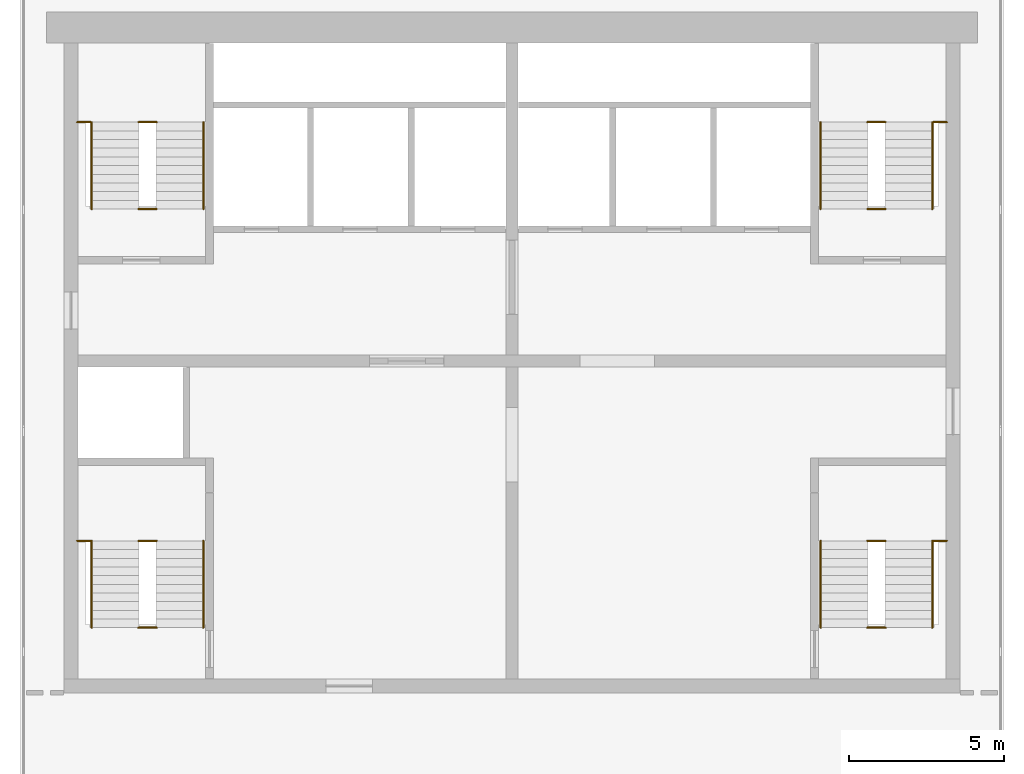
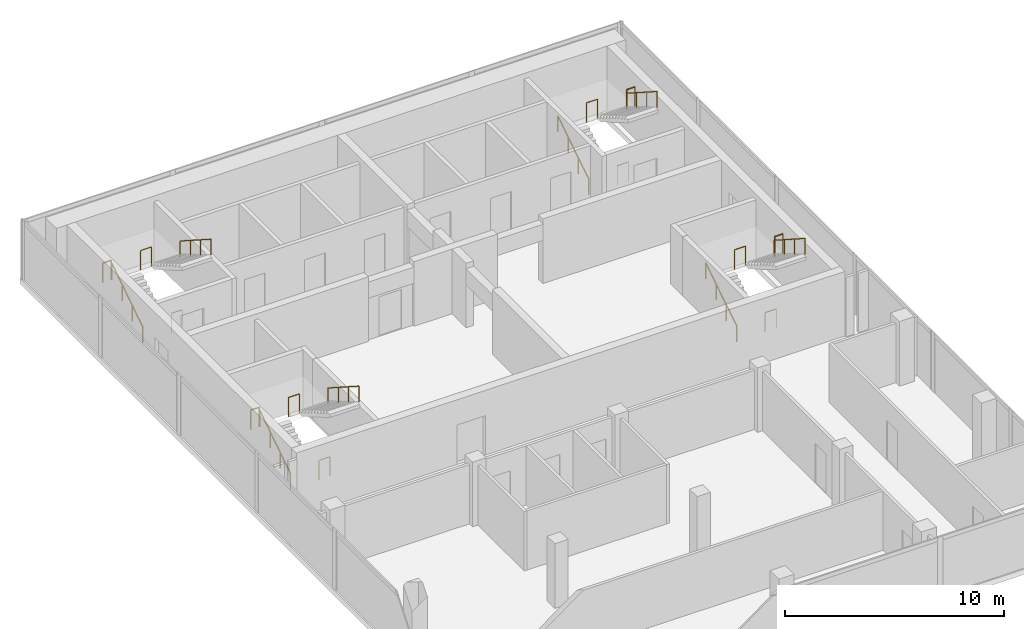
# One storey, part 5 of 5: 20 railings.
"""IFC4 building model written with IfcOpenShell, lengths in metres."""

from ifc_helpers import new_model, si_unit, direction, frame, origin, origin_2d, place, context, subcontext, project, spatial, circle, extrude, material, type_object, element, save


model = new_model("IFC4")

# Units and contexts
model_context = context("Model", 3, precision=1e-05, world=origin(), true_north=direction((0.0, 1.0)))
body_context = subcontext(model_context, "Body", "Model", "MODEL_VIEW")
ifc_project = project(units=[si_unit("LENGTHUNIT", "METRE"), si_unit("AREAUNIT", "SQUARE_METRE"), si_unit("VOLUMEUNIT", "CUBIC_METRE"), si_unit("PLANEANGLEUNIT", "RADIAN"), si_unit("MASSUNIT", "GRAM", prefix="KILO")], contexts=[model_context])

# Site, building, storey
site_placement = place(None, origin())
site = spatial("IfcSite", under=ifc_project, at=site_placement, CompositionType="ELEMENT")
building_placement = place(site_placement, origin())
building = spatial("IfcBuilding", under=site, at=building_placement, Name="Pilkhan Gate Tower", CompositionType="ELEMENT")
storey_placement = place(building_placement, frame((0.0, 0.0, 276.5)))
storey = spatial("IfcBuildingStorey", under=building, at=storey_placement, Name="L72", CompositionType="ELEMENT", Elevation=276.5)

# Railings
ifc_material_1 = material(Name="Black powder-coated steel tube", Category="steel")
railing_type_1 = type_object("IfcRailingType", Name="Stair handrail HR1", PredefinedType="HANDRAIL", material=ifc_material_1)
railing_1_placement = place(storey_placement, frame((84.949951171875, 73.89990234375, 0.0)))
element("IfcRailing", 1, at=railing_1_placement, inside=storey, type_object=railing_type_1, Name="Stair ST1 handrail L72", PredefinedType="HANDRAIL", context=body_context, shape_type="SweptSolid", body=[
    extrude(circle(Radius=0.02392578125, at=origin_2d()), frame((0.0, 0.0, 0.8759765625), z_axis=(0.0, 0.841176092368, 0.540761298198), x_axis=(-1.0, 0.0, 0.0)), (0.0, 0.0, 1.0), 3.32861328125),
    extrude(circle(Radius=0.02099609375, at=origin_2d()), origin(), (0.0, 0.0, 1.0), 0.851806640625),
    extrude(circle(Radius=0.02099609375, at=origin_2d()), frame((0.0, 0.933349609375, 0.60009765625)), (0.0, 0.0, 1.0), 0.851806640625),
    extrude(circle(Radius=0.02099609375, at=origin_2d()), frame((0.0, 1.86669921875, 1.199951171875)), (0.0, 0.0, 1.0), 0.851806640625),
    extrude(circle(Radius=0.02099609375, at=origin_2d()), frame((0.0, 2.800048828125, 1.800048828125)), (0.0, 0.0, 1.0), 0.851806640625),
])
railing_2_placement = place(storey_placement, frame((88.550048828125, 76.699951171875, 1.800048828125)))
element("IfcRailing", 2, at=railing_2_placement, inside=storey, type_object=railing_type_1, Name="Stair ST1 handrail L72", PredefinedType="HANDRAIL", context=body_context, shape_type="SweptSolid", body=[
    extrude(circle(Radius=0.02392578125, at=origin_2d()), frame((0.0, 0.0, 0.8759765625), z_axis=(0.0, -0.841176092368, 0.540761298198), x_axis=(1.0, 0.0, 0.0)), (0.0, 0.0, 1.0), 3.32861328125),
    extrude(circle(Radius=0.02099609375, at=origin_2d()), origin(), (0.0, 0.0, 1.0), 0.851806640625),
    extrude(circle(Radius=0.02099609375, at=origin_2d()), frame((0.0, -0.933349609375, 0.60009765625)), (0.0, 0.0, 1.0), 0.851806640625),
    extrude(circle(Radius=0.02099609375, at=origin_2d()), frame((0.0, -1.86669921875, 1.199951171875)), (0.0, 0.0, 1.0), 0.851806640625),
    extrude(circle(Radius=0.02099609375, at=origin_2d()), frame((0.0, -2.800048828125, 1.800048828125)), (0.0, 0.0, 1.0), 0.851806640625),
])
railing_3_placement = place(storey_placement, frame((61.449951171875, 73.89990234375, 0.0)))
element("IfcRailing", 3, at=railing_3_placement, inside=storey, type_object=railing_type_1, Name="Stair ST2 handrail L72", PredefinedType="HANDRAIL", context=body_context, shape_type="SweptSolid", body=[
    extrude(circle(Radius=0.02392578125, at=origin_2d()), frame((0.0, 0.0, 0.8759765625), z_axis=(0.0, 0.841176092368, 0.540761298198), x_axis=(-1.0, 0.0, 0.0)), (0.0, 0.0, 1.0), 3.32861328125),
    extrude(circle(Radius=0.02099609375, at=origin_2d()), origin(), (0.0, 0.0, 1.0), 0.851806640625),
    extrude(circle(Radius=0.02099609375, at=origin_2d()), frame((0.0, 0.933349609375, 0.60009765625)), (0.0, 0.0, 1.0), 0.851806640625),
    extrude(circle(Radius=0.02099609375, at=origin_2d()), frame((0.0, 1.86669921875, 1.199951171875)), (0.0, 0.0, 1.0), 0.851806640625),
    extrude(circle(Radius=0.02099609375, at=origin_2d()), frame((0.0, 2.800048828125, 1.800048828125)), (0.0, 0.0, 1.0), 0.851806640625),
])
railing_4_placement = place(storey_placement, frame((65.050048828125, 76.699951171875, 1.800048828125)))
element("IfcRailing", 4, at=railing_4_placement, inside=storey, type_object=railing_type_1, Name="Stair ST2 handrail L72", PredefinedType="HANDRAIL", context=body_context, shape_type="SweptSolid", body=[
    extrude(circle(Radius=0.02392578125, at=origin_2d()), frame((0.0, 0.0, 0.8759765625), z_axis=(0.0, -0.841176092368, 0.540761298198), x_axis=(1.0, 0.0, 0.0)), (0.0, 0.0, 1.0), 3.32861328125),
    extrude(circle(Radius=0.02099609375, at=origin_2d()), origin(), (0.0, 0.0, 1.0), 0.851806640625),
    extrude(circle(Radius=0.02099609375, at=origin_2d()), frame((0.0, -0.933349609375, 0.60009765625)), (0.0, 0.0, 1.0), 0.851806640625),
    extrude(circle(Radius=0.02099609375, at=origin_2d()), frame((0.0, -1.86669921875, 1.199951171875)), (0.0, 0.0, 1.0), 0.851806640625),
    extrude(circle(Radius=0.02099609375, at=origin_2d()), frame((0.0, -2.800048828125, 1.800048828125)), (0.0, 0.0, 1.0), 0.851806640625),
])
railing_5_placement = place(storey_placement, frame((61.449951171875, 87.39990234375, 0.0)))
element("IfcRailing", 5, at=railing_5_placement, inside=storey, type_object=railing_type_1, Name="Stair ST3 handrail L72", PredefinedType="HANDRAIL", context=body_context, shape_type="SweptSolid", body=[
    extrude(circle(Radius=0.02392578125, at=origin_2d()), frame((0.0, 0.0, 0.8759765625), z_axis=(0.0, 0.841176092368, 0.540761298198), x_axis=(-1.0, 0.0, 0.0)), (0.0, 0.0, 1.0), 3.32861328125),
    extrude(circle(Radius=0.02099609375, at=origin_2d()), origin(), (0.0, 0.0, 1.0), 0.851806640625),
    extrude(circle(Radius=0.02099609375, at=origin_2d()), frame((0.0, 0.933349609375, 0.60009765625)), (0.0, 0.0, 1.0), 0.851806640625),
    extrude(circle(Radius=0.02099609375, at=origin_2d()), frame((0.0, 1.86669921875, 1.199951171875)), (0.0, 0.0, 1.0), 0.851806640625),
    extrude(circle(Radius=0.02099609375, at=origin_2d()), frame((0.0, 2.800048828125, 1.800048828125)), (0.0, 0.0, 1.0), 0.851806640625),
])
railing_6_placement = place(storey_placement, frame((65.050048828125, 90.199951171875, 1.800048828125)))
element("IfcRailing", 6, at=railing_6_placement, inside=storey, type_object=railing_type_1, Name="Stair ST3 handrail L72", PredefinedType="HANDRAIL", context=body_context, shape_type="SweptSolid", body=[
    extrude(circle(Radius=0.02392578125, at=origin_2d()), frame((0.0, 0.0, 0.8759765625), z_axis=(0.0, -0.841176092368, 0.540761298198), x_axis=(1.0, 0.0, 0.0)), (0.0, 0.0, 1.0), 3.32861328125),
    extrude(circle(Radius=0.02099609375, at=origin_2d()), origin(), (0.0, 0.0, 1.0), 0.851806640625),
    extrude(circle(Radius=0.02099609375, at=origin_2d()), frame((0.0, -0.933349609375, 0.60009765625)), (0.0, 0.0, 1.0), 0.851806640625),
    extrude(circle(Radius=0.02099609375, at=origin_2d()), frame((0.0, -1.86669921875, 1.199951171875)), (0.0, 0.0, 1.0), 0.851806640625),
    extrude(circle(Radius=0.02099609375, at=origin_2d()), frame((0.0, -2.800048828125, 1.800048828125)), (0.0, 0.0, 1.0), 0.851806640625),
])
railing_7_placement = place(storey_placement, frame((84.949951171875, 87.39990234375, 0.0)))
element("IfcRailing", 7, at=railing_7_placement, inside=storey, type_object=railing_type_1, Name="Stair ST4 handrail L72", PredefinedType="HANDRAIL", context=body_context, shape_type="SweptSolid", body=[
    extrude(circle(Radius=0.02392578125, at=origin_2d()), frame((0.0, 0.0, 0.8759765625), z_axis=(0.0, 0.841176092368, 0.540761298198), x_axis=(-1.0, 0.0, 0.0)), (0.0, 0.0, 1.0), 3.32861328125),
    extrude(circle(Radius=0.02099609375, at=origin_2d()), origin(), (0.0, 0.0, 1.0), 0.851806640625),
    extrude(circle(Radius=0.02099609375, at=origin_2d()), frame((0.0, 0.933349609375, 0.60009765625)), (0.0, 0.0, 1.0), 0.851806640625),
    extrude(circle(Radius=0.02099609375, at=origin_2d()), frame((0.0, 1.86669921875, 1.199951171875)), (0.0, 0.0, 1.0), 0.851806640625),
    extrude(circle(Radius=0.02099609375, at=origin_2d()), frame((0.0, 2.800048828125, 1.800048828125)), (0.0, 0.0, 1.0), 0.851806640625),
])
railing_8_placement = place(storey_placement, frame((88.550048828125, 90.199951171875, 1.800048828125)))
element("IfcRailing", 8, at=railing_8_placement, inside=storey, type_object=railing_type_1, Name="Stair ST4 handrail L72", PredefinedType="HANDRAIL", context=body_context, shape_type="SweptSolid", body=[
    extrude(circle(Radius=0.02392578125, at=origin_2d()), frame((0.0, 0.0, 0.8759765625), z_axis=(0.0, -0.841176092368, 0.540761298198), x_axis=(1.0, 0.0, 0.0)), (0.0, 0.0, 1.0), 3.32861328125),
    extrude(circle(Radius=0.02099609375, at=origin_2d()), origin(), (0.0, 0.0, 1.0), 0.851806640625),
    extrude(circle(Radius=0.02099609375, at=origin_2d()), frame((0.0, -0.933349609375, 0.60009765625)), (0.0, 0.0, 1.0), 0.851806640625),
    extrude(circle(Radius=0.02099609375, at=origin_2d()), frame((0.0, -1.86669921875, 1.199951171875)), (0.0, 0.0, 1.0), 0.851806640625),
    extrude(circle(Radius=0.02099609375, at=origin_2d()), frame((0.0, -2.800048828125, 1.800048828125)), (0.0, 0.0, 1.0), 0.851806640625),
])
ifc_material_2 = material(Name="Black powder-coated steel balusters", Category="steel")
railing_type_2 = type_object("IfcRailingType", Name="Stair well guard G3", PredefinedType="GUARDRAIL", material=ifc_material_2)
railing_9_placement = place(storey_placement, frame((88.580078125, 76.699951171875, 1.800048828125)))
element("IfcRailing", 9, at=railing_9_placement, inside=storey, type_object=railing_type_2, Name="Stair ST1 well guard L72", PredefinedType="GUARDRAIL", context=body_context, shape_type="SweptSolid", body=[
    extrude(circle(Radius=0.02392578125, at=origin_2d()), frame((0.0, 0.0, 1.076171875), z_axis=(1.0, 0.0, 0.0), x_axis=(0.0, 1.0, 0.0)), (0.0, 0.0, 1.0), 0.43994140625),
    extrude(circle(Radius=0.02099609375, at=origin_2d()), origin(), (0.0, 0.0, 1.0), 1.052001953125),
    extrude(circle(Radius=0.02099609375, at=origin_2d()), frame((0.43994140625, 0.0, 0.0)), (0.0, 0.0, 1.0), 1.052001953125),
])
for number, where, name in (
    (10, (86.4599609375, 73.89990234375, 0.0), "Stair ST1 well guard L72"),
    (11, (86.4599609375, 76.699951171875, 1.800048828125), "Stair ST1 well guard L72"),
):
    element("IfcRailing", number, at=place(storey_placement, frame(where)), inside=storey, type_object=railing_type_2, Name=name, PredefinedType="GUARDRAIL", context=body_context, shape_type="SweptSolid", body=[
        extrude(circle(Radius=0.02392578125, at=origin_2d()), frame((0.0, 0.0, 1.076171875), z_axis=(1.0, 0.0, 0.0), x_axis=(0.0, 1.0, 0.0)), (0.0, 0.0, 1.0), 0.580078125),
        extrude(circle(Radius=0.02099609375, at=origin_2d()), origin(), (0.0, 0.0, 1.0), 1.052001953125),
        extrude(circle(Radius=0.02099609375, at=origin_2d()), frame((0.580078125, 0.0, 0.0)), (0.0, 0.0, 1.0), 1.052001953125),
    ])
railing_10_placement = place(storey_placement, frame((60.97998046875, 76.699951171875, 1.800048828125)))
element("IfcRailing", 12, at=railing_10_placement, inside=storey, type_object=railing_type_2, Name="Stair ST2 well guard L72", PredefinedType="GUARDRAIL", context=body_context, shape_type="SweptSolid", body=[
    extrude(circle(Radius=0.02392578125, at=origin_2d()), frame((0.0, 0.0, 1.076171875), z_axis=(1.0, 0.0, 0.0), x_axis=(0.0, 1.0, 0.0)), (0.0, 0.0, 1.0), 0.43994140625),
    extrude(circle(Radius=0.02099609375, at=origin_2d()), origin(), (0.0, 0.0, 1.0), 1.052001953125),
    extrude(circle(Radius=0.02099609375, at=origin_2d()), frame((0.43994140625, 0.0, 0.0)), (0.0, 0.0, 1.0), 1.052001953125),
])
for number, where, name in (
    (13, (62.9599609375, 73.89990234375, 0.0), "Stair ST2 well guard L72"),
    (14, (62.9599609375, 76.699951171875, 1.800048828125), "Stair ST2 well guard L72"),
):
    element("IfcRailing", number, at=place(storey_placement, frame(where)), inside=storey, type_object=railing_type_2, Name=name, PredefinedType="GUARDRAIL", context=body_context, shape_type="SweptSolid", body=[
        extrude(circle(Radius=0.02392578125, at=origin_2d()), frame((0.0, 0.0, 1.076171875), z_axis=(1.0, 0.0, 0.0), x_axis=(0.0, 1.0, 0.0)), (0.0, 0.0, 1.0), 0.580078125),
        extrude(circle(Radius=0.02099609375, at=origin_2d()), origin(), (0.0, 0.0, 1.0), 1.052001953125),
        extrude(circle(Radius=0.02099609375, at=origin_2d()), frame((0.580078125, 0.0, 0.0)), (0.0, 0.0, 1.0), 1.052001953125),
    ])
railing_11_placement = place(storey_placement, frame((60.97998046875, 90.199951171875, 1.800048828125)))
element("IfcRailing", 15, at=railing_11_placement, inside=storey, type_object=railing_type_2, Name="Stair ST3 well guard L72", PredefinedType="GUARDRAIL", context=body_context, shape_type="SweptSolid", body=[
    extrude(circle(Radius=0.02392578125, at=origin_2d()), frame((0.0, 0.0, 1.076171875), z_axis=(1.0, 0.0, 0.0), x_axis=(0.0, 1.0, 0.0)), (0.0, 0.0, 1.0), 0.43994140625),
    extrude(circle(Radius=0.02099609375, at=origin_2d()), origin(), (0.0, 0.0, 1.0), 1.052001953125),
    extrude(circle(Radius=0.02099609375, at=origin_2d()), frame((0.43994140625, 0.0, 0.0)), (0.0, 0.0, 1.0), 1.052001953125),
])
for number, where, name in (
    (16, (62.9599609375, 87.39990234375, 0.0), "Stair ST3 well guard L72"),
    (17, (62.9599609375, 90.199951171875, 1.800048828125), "Stair ST3 well guard L72"),
):
    element("IfcRailing", number, at=place(storey_placement, frame(where)), inside=storey, type_object=railing_type_2, Name=name, PredefinedType="GUARDRAIL", context=body_context, shape_type="SweptSolid", body=[
        extrude(circle(Radius=0.02392578125, at=origin_2d()), frame((0.0, 0.0, 1.076171875), z_axis=(1.0, 0.0, 0.0), x_axis=(0.0, 1.0, 0.0)), (0.0, 0.0, 1.0), 0.580078125),
        extrude(circle(Radius=0.02099609375, at=origin_2d()), origin(), (0.0, 0.0, 1.0), 1.052001953125),
        extrude(circle(Radius=0.02099609375, at=origin_2d()), frame((0.580078125, 0.0, 0.0)), (0.0, 0.0, 1.0), 1.052001953125),
    ])
railing_12_placement = place(storey_placement, frame((88.580078125, 90.199951171875, 1.800048828125)))
element("IfcRailing", 18, at=railing_12_placement, inside=storey, type_object=railing_type_2, Name="Stair ST4 well guard L72", PredefinedType="GUARDRAIL", context=body_context, shape_type="SweptSolid", body=[
    extrude(circle(Radius=0.02392578125, at=origin_2d()), frame((0.0, 0.0, 1.076171875), z_axis=(1.0, 0.0, 0.0), x_axis=(0.0, 1.0, 0.0)), (0.0, 0.0, 1.0), 0.43994140625),
    extrude(circle(Radius=0.02099609375, at=origin_2d()), origin(), (0.0, 0.0, 1.0), 1.052001953125),
    extrude(circle(Radius=0.02099609375, at=origin_2d()), frame((0.43994140625, 0.0, 0.0)), (0.0, 0.0, 1.0), 1.052001953125),
])
for number, where, name in (
    (19, (86.4599609375, 87.39990234375, 0.0), "Stair ST4 well guard L72"),
    (20, (86.4599609375, 90.199951171875, 1.800048828125), "Stair ST4 well guard L72"),
):
    element("IfcRailing", number, at=place(storey_placement, frame(where)), inside=storey, type_object=railing_type_2, Name=name, PredefinedType="GUARDRAIL", context=body_context, shape_type="SweptSolid", body=[
        extrude(circle(Radius=0.02392578125, at=origin_2d()), frame((0.0, 0.0, 1.076171875), z_axis=(1.0, 0.0, 0.0), x_axis=(0.0, 1.0, 0.0)), (0.0, 0.0, 1.0), 0.580078125),
        extrude(circle(Radius=0.02099609375, at=origin_2d()), origin(), (0.0, 0.0, 1.0), 1.052001953125),
        extrude(circle(Radius=0.02099609375, at=origin_2d()), frame((0.580078125, 0.0, 0.0)), (0.0, 0.0, 1.0), 1.052001953125),
    ])

save(model, "model.ifc")
